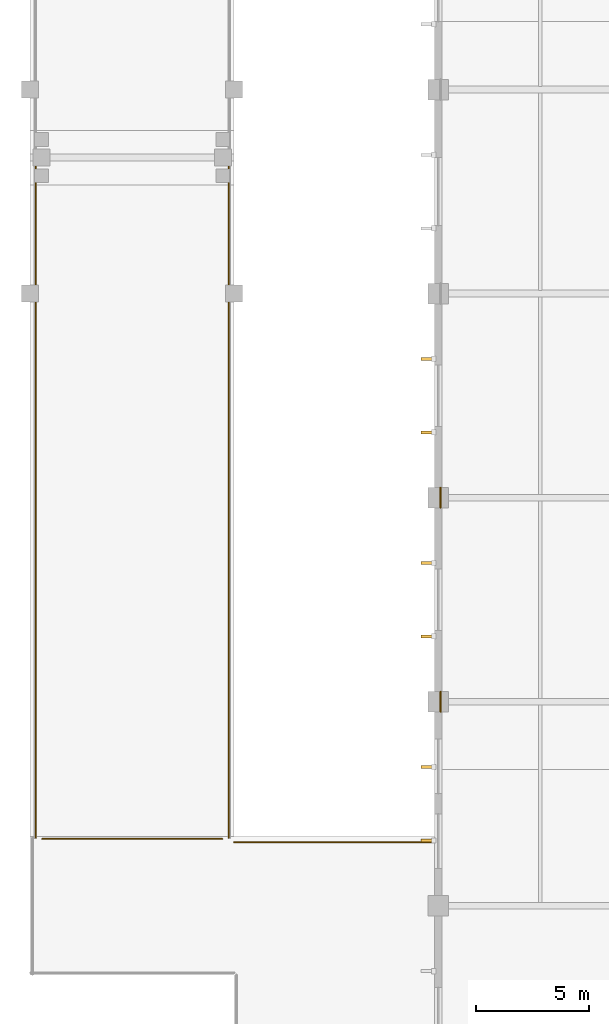
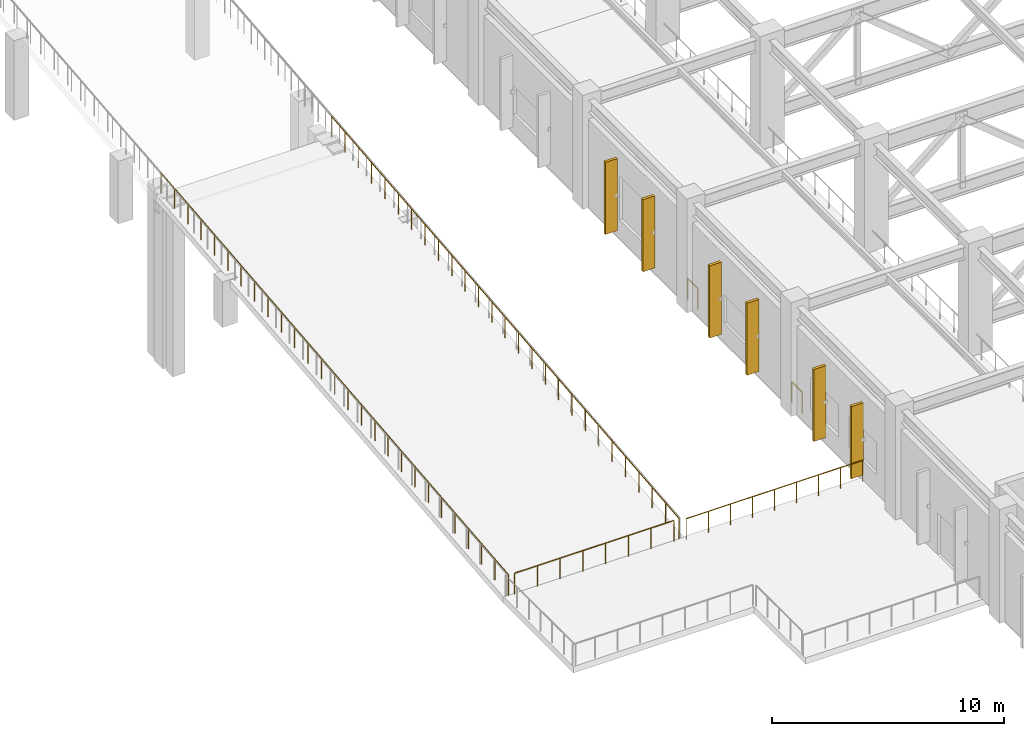
# One storey, part 204 of 223: 6 railings, 6 shading devices.
"""IFC4 building model written with IfcOpenShell, lengths in metres."""

from ifc_helpers import new_model, si_unit, direction, frame, origin, origin_2d, place, context, subcontext, project, spatial, rectangle, circle, extrude, material, layer, layer_set, type_object, element, save


model = new_model("IFC4")

# Units and contexts
model_context = context("Model", 3, precision=1e-05, world=origin(), true_north=direction((0.0, 1.0)))
body_context = subcontext(model_context, "Body", "Model", "MODEL_VIEW")
ifc_project = project(units=[si_unit("LENGTHUNIT", "METRE"), si_unit("AREAUNIT", "SQUARE_METRE"), si_unit("VOLUMEUNIT", "CUBIC_METRE"), si_unit("PLANEANGLEUNIT", "RADIAN"), si_unit("MASSUNIT", "GRAM", prefix="KILO")], contexts=[model_context])

# Site, building, storey
site_placement = place(None, origin())
site = spatial("IfcSite", under=ifc_project, at=site_placement, CompositionType="ELEMENT")
building_placement = place(site_placement, origin())
building = spatial("IfcBuilding", under=site, at=building_placement, Name="Dornveld Trade and Exhibition Forum", CompositionType="ELEMENT")
storey_placement = place(building_placement, frame((0.0, 0.0, 6.0)))
storey = spatial("IfcBuildingStorey", under=building, at=storey_placement, Name="L01", CompositionType="ELEMENT", Elevation=6.0)

# Railings
ifc_material_1 = material(Name="Dark-bronze steel and laminated glass balustrade", Category="steel")
railing_type_1 = type_object("IfcRailingType", Name="RL-BALUST-CONC", PredefinedType="BALUSTRADE", material=ifc_material_1)
railing_1_placement = place(storey_placement, frame((0.530029296875, 65.949951171875, 0.0)))
element("IfcRailing", 1, at=railing_1_placement, inside=storey, type_object=railing_type_1, Name="L01 deck edge balustrade 83", PredefinedType="BALUSTRADE", context=body_context, shape_type="SweptSolid", body=[
    extrude(circle(Radius=0.02490234375, at=origin_2d()), frame((0.0, 0.0, 1.09521484375), z_axis=(1.0, 0.0, 0.0), x_axis=(0.0, 1.0, 0.0)), (0.0, 0.0, 1.0), 7.93994140625),
    extrude(circle(Radius=0.02099609375, at=origin_2d()), origin(), (0.0, 0.0, 1.0), 1.070068359375),
    extrude(circle(Radius=0.02099609375, at=origin_2d()), frame((1.13427734375, 0.0, 0.0)), (0.0, 0.0, 1.0), 1.070068359375),
    extrude(circle(Radius=0.02099609375, at=origin_2d()), frame((2.2685546875, 0.0, 0.0)), (0.0, 0.0, 1.0), 1.070068359375),
    extrude(circle(Radius=0.02099609375, at=origin_2d()), frame((3.40283203125, 0.0, 0.0)), (0.0, 0.0, 1.0), 1.070068359375),
    extrude(circle(Radius=0.02099609375, at=origin_2d()), frame((4.537109375, 0.0, 0.0)), (0.0, 0.0, 1.0), 1.070068359375),
    extrude(circle(Radius=0.02099609375, at=origin_2d()), frame((5.67138671875, 0.0, 0.0)), (0.0, 0.0, 1.0), 1.070068359375),
    extrude(circle(Radius=0.02099609375, at=origin_2d()), frame((6.8056640625, 0.0, 0.0)), (0.0, 0.0, 1.0), 1.070068359375),
    extrude(circle(Radius=0.02099609375, at=origin_2d()), frame((7.93994140625, 0.0, 0.0)), (0.0, 0.0, 1.0), 1.070068359375),
])
for number, where, name in (
    (2, (18.10009765625, 71.550537109375, 0.0), "L01 deck edge balustrade 84"),
    (3, (18.10009765625, 80.550537109375, 0.0), "L01 deck edge balustrade 85"),
):
    element("IfcRailing", number, at=place(storey_placement, frame(where)), inside=storey, type_object=railing_type_1, Name=name, PredefinedType="BALUSTRADE", context=body_context, shape_type="SweptSolid", body=[
        extrude(circle(Radius=0.02490234375, at=origin_2d()), frame((0.0, 0.0, 1.09521484375), z_axis=(0.0, 1.0, 0.0), x_axis=(-1.0, 0.0, 0.0)), (0.0, 0.0, 1.0), 0.89892578125),
        extrude(circle(Radius=0.02099609375, at=origin_2d()), origin(), (0.0, 0.0, 1.0), 1.070068359375),
        extrude(circle(Radius=0.02099609375, at=origin_2d()), frame((0.0, 0.89892578125, 0.0)), (0.0, 0.0, 1.0), 1.070068359375),
    ])
ifc_material_2 = material(Name="Galvanised steel S355J2 balustrade", Category="steel")
railing_type_2 = type_object("IfcRailingType", Name="RL-GUARD-TERR", PredefinedType="GUARDRAIL", material=ifc_material_2)
railing_2_placement = place(storey_placement, frame((0.25, 66.0, 0.0)))
element("IfcRailing", 4, at=railing_2_placement, inside=storey, type_object=railing_type_2, Name="Viaduct ramp W edge guard 3", PredefinedType="GUARDRAIL", context=body_context, shape_type="SweptSolid", body=[
    extrude(circle(Radius=0.02392578125, at=origin_2d()), frame((0.0, 0.0, 1.076171875), z_axis=(0.0, 0.99503719021, 0.099503719021), x_axis=(-1.0, 0.0, 0.0)), (0.0, 0.0, 1.0), 30.149658203125),
    extrude(circle(Radius=0.02099609375, at=origin_2d()), origin(), (0.0, 0.0, 1.0), 1.052001953125),
    extrude(circle(Radius=0.02099609375, at=origin_2d()), frame((0.0, 1.15380859375, 0.115478515625)), (0.0, 0.0, 1.0), 1.052001953125),
    extrude(circle(Radius=0.02099609375, at=origin_2d()), frame((0.0, 2.3076171875, 0.230712890625)), (0.0, 0.0, 1.0), 1.052001953125),
    extrude(circle(Radius=0.02099609375, at=origin_2d()), frame((0.0, 3.46142578125, 0.34619140625)), (0.0, 0.0, 1.0), 1.052001953125),
    extrude(circle(Radius=0.02099609375, at=origin_2d()), frame((0.0, 4.615478515625, 0.46142578125)), (0.0, 0.0, 1.0), 1.052001953125),
    extrude(circle(Radius=0.02099609375, at=origin_2d()), frame((0.0, 5.769287109375, 0.576904296875)), (0.0, 0.0, 1.0), 1.052001953125),
    extrude(circle(Radius=0.02099609375, at=origin_2d()), frame((0.0, 6.923095703125, 0.6923828125)), (0.0, 0.0, 1.0), 1.052001953125),
    extrude(circle(Radius=0.02099609375, at=origin_2d()), frame((0.0, 8.076904296875, 0.8076171875)), (0.0, 0.0, 1.0), 1.052001953125),
    extrude(circle(Radius=0.02099609375, at=origin_2d()), frame((0.0, 9.230712890625, 0.923095703125)), (0.0, 0.0, 1.0), 1.052001953125),
    extrude(circle(Radius=0.02099609375, at=origin_2d()), frame((0.0, 10.384521484375, 1.03857421875)), (0.0, 0.0, 1.0), 1.052001953125),
    extrude(circle(Radius=0.02099609375, at=origin_2d()), frame((0.0, 11.53857421875, 1.15380859375)), (0.0, 0.0, 1.0), 1.052001953125),
    extrude(circle(Radius=0.02099609375, at=origin_2d()), frame((0.0, 12.6923828125, 1.269287109375)), (0.0, 0.0, 1.0), 1.052001953125),
    extrude(circle(Radius=0.02099609375, at=origin_2d()), frame((0.0, 13.84619140625, 1.384521484375)), (0.0, 0.0, 1.0), 1.052001953125),
    extrude(circle(Radius=0.02099609375, at=origin_2d()), frame((0.0, 15.0, 1.5)), (0.0, 0.0, 1.0), 1.052001953125),
    extrude(circle(Radius=0.02099609375, at=origin_2d()), frame((0.0, 16.15380859375, 1.615478515625)), (0.0, 0.0, 1.0), 1.052001953125),
    extrude(circle(Radius=0.02099609375, at=origin_2d()), frame((0.0, 17.3076171875, 1.730712890625)), (0.0, 0.0, 1.0), 1.052001953125),
    extrude(circle(Radius=0.02099609375, at=origin_2d()), frame((0.0, 18.46142578125, 1.84619140625)), (0.0, 0.0, 1.0), 1.052001953125),
    extrude(circle(Radius=0.02099609375, at=origin_2d()), frame((0.0, 19.615478515625, 1.96142578125)), (0.0, 0.0, 1.0), 1.052001953125),
    extrude(circle(Radius=0.02099609375, at=origin_2d()), frame((0.0, 20.769287109375, 2.076904296875)), (0.0, 0.0, 1.0), 1.052001953125),
    extrude(circle(Radius=0.02099609375, at=origin_2d()), frame((0.0, 21.923095703125, 2.1923828125)), (0.0, 0.0, 1.0), 1.052001953125),
    extrude(circle(Radius=0.02099609375, at=origin_2d()), frame((0.0, 23.076904296875, 2.3076171875)), (0.0, 0.0, 1.0), 1.052001953125),
    extrude(circle(Radius=0.02099609375, at=origin_2d()), frame((0.0, 24.230712890625, 2.423095703125)), (0.0, 0.0, 1.0), 1.052001953125),
    extrude(circle(Radius=0.02099609375, at=origin_2d()), frame((0.0, 25.384521484375, 2.53857421875)), (0.0, 0.0, 1.0), 1.052001953125),
    extrude(circle(Radius=0.02099609375, at=origin_2d()), frame((0.0, 26.53857421875, 2.65380859375)), (0.0, 0.0, 1.0), 1.052001953125),
    extrude(circle(Radius=0.02099609375, at=origin_2d()), frame((0.0, 27.6923828125, 2.769287109375)), (0.0, 0.0, 1.0), 1.052001953125),
    extrude(circle(Radius=0.02099609375, at=origin_2d()), frame((0.0, 28.84619140625, 2.884521484375)), (0.0, 0.0, 1.0), 1.052001953125),
    extrude(circle(Radius=0.02099609375, at=origin_2d()), frame((0.0, 30.0, 3.0)), (0.0, 0.0, 1.0), 1.052001953125),
])
railing_3_placement = place(storey_placement, frame((8.75, 66.0, 0.0)))
element("IfcRailing", 5, at=railing_3_placement, inside=storey, type_object=railing_type_2, Name="Viaduct ramp E edge guard 3", PredefinedType="GUARDRAIL", context=body_context, shape_type="SweptSolid", body=[
    extrude(circle(Radius=0.02392578125, at=origin_2d()), frame((0.0, 0.0, 1.076171875), z_axis=(0.0, 0.99503719021, 0.099503719021), x_axis=(-1.0, 0.0, 0.0)), (0.0, 0.0, 1.0), 30.149658203125),
    extrude(circle(Radius=0.02099609375, at=origin_2d()), origin(), (0.0, 0.0, 1.0), 1.052001953125),
    extrude(circle(Radius=0.02099609375, at=origin_2d()), frame((0.0, 1.15380859375, 0.115478515625)), (0.0, 0.0, 1.0), 1.052001953125),
    extrude(circle(Radius=0.02099609375, at=origin_2d()), frame((0.0, 2.3076171875, 0.230712890625)), (0.0, 0.0, 1.0), 1.052001953125),
    extrude(circle(Radius=0.02099609375, at=origin_2d()), frame((0.0, 3.46142578125, 0.34619140625)), (0.0, 0.0, 1.0), 1.052001953125),
    extrude(circle(Radius=0.02099609375, at=origin_2d()), frame((0.0, 4.615478515625, 0.46142578125)), (0.0, 0.0, 1.0), 1.052001953125),
    extrude(circle(Radius=0.02099609375, at=origin_2d()), frame((0.0, 5.769287109375, 0.576904296875)), (0.0, 0.0, 1.0), 1.052001953125),
    extrude(circle(Radius=0.02099609375, at=origin_2d()), frame((0.0, 6.923095703125, 0.6923828125)), (0.0, 0.0, 1.0), 1.052001953125),
    extrude(circle(Radius=0.02099609375, at=origin_2d()), frame((0.0, 8.076904296875, 0.8076171875)), (0.0, 0.0, 1.0), 1.052001953125),
    extrude(circle(Radius=0.02099609375, at=origin_2d()), frame((0.0, 9.230712890625, 0.923095703125)), (0.0, 0.0, 1.0), 1.052001953125),
    extrude(circle(Radius=0.02099609375, at=origin_2d()), frame((0.0, 10.384521484375, 1.03857421875)), (0.0, 0.0, 1.0), 1.052001953125),
    extrude(circle(Radius=0.02099609375, at=origin_2d()), frame((0.0, 11.53857421875, 1.15380859375)), (0.0, 0.0, 1.0), 1.052001953125),
    extrude(circle(Radius=0.02099609375, at=origin_2d()), frame((0.0, 12.6923828125, 1.269287109375)), (0.0, 0.0, 1.0), 1.052001953125),
    extrude(circle(Radius=0.02099609375, at=origin_2d()), frame((0.0, 13.84619140625, 1.384521484375)), (0.0, 0.0, 1.0), 1.052001953125),
    extrude(circle(Radius=0.02099609375, at=origin_2d()), frame((0.0, 15.0, 1.5)), (0.0, 0.0, 1.0), 1.052001953125),
    extrude(circle(Radius=0.02099609375, at=origin_2d()), frame((0.0, 16.15380859375, 1.615478515625)), (0.0, 0.0, 1.0), 1.052001953125),
    extrude(circle(Radius=0.02099609375, at=origin_2d()), frame((0.0, 17.3076171875, 1.730712890625)), (0.0, 0.0, 1.0), 1.052001953125),
    extrude(circle(Radius=0.02099609375, at=origin_2d()), frame((0.0, 18.46142578125, 1.84619140625)), (0.0, 0.0, 1.0), 1.052001953125),
    extrude(circle(Radius=0.02099609375, at=origin_2d()), frame((0.0, 19.615478515625, 1.96142578125)), (0.0, 0.0, 1.0), 1.052001953125),
    extrude(circle(Radius=0.02099609375, at=origin_2d()), frame((0.0, 20.769287109375, 2.076904296875)), (0.0, 0.0, 1.0), 1.052001953125),
    extrude(circle(Radius=0.02099609375, at=origin_2d()), frame((0.0, 21.923095703125, 2.1923828125)), (0.0, 0.0, 1.0), 1.052001953125),
    extrude(circle(Radius=0.02099609375, at=origin_2d()), frame((0.0, 23.076904296875, 2.3076171875)), (0.0, 0.0, 1.0), 1.052001953125),
    extrude(circle(Radius=0.02099609375, at=origin_2d()), frame((0.0, 24.230712890625, 2.423095703125)), (0.0, 0.0, 1.0), 1.052001953125),
    extrude(circle(Radius=0.02099609375, at=origin_2d()), frame((0.0, 25.384521484375, 2.53857421875)), (0.0, 0.0, 1.0), 1.052001953125),
    extrude(circle(Radius=0.02099609375, at=origin_2d()), frame((0.0, 26.53857421875, 2.65380859375)), (0.0, 0.0, 1.0), 1.052001953125),
    extrude(circle(Radius=0.02099609375, at=origin_2d()), frame((0.0, 27.6923828125, 2.769287109375)), (0.0, 0.0, 1.0), 1.052001953125),
    extrude(circle(Radius=0.02099609375, at=origin_2d()), frame((0.0, 28.84619140625, 2.884521484375)), (0.0, 0.0, 1.0), 1.052001953125),
    extrude(circle(Radius=0.02099609375, at=origin_2d()), frame((0.0, 30.0, 3.0)), (0.0, 0.0, 1.0), 1.052001953125),
])
railing_4_placement = place(storey_placement, frame((9.0, 65.800048828125, 0.0)))
element("IfcRailing", 6, at=railing_4_placement, inside=storey, type_object=railing_type_2, Name="L01 protective edge guard 25", PredefinedType="GUARDRAIL", context=body_context, shape_type="SweptSolid", body=[
    extrude(circle(Radius=0.02490234375, at=origin_2d()), frame((0.0, 0.0, 1.09521484375), z_axis=(1.0, 0.0, 0.0), x_axis=(0.0, 1.0, 0.0)), (0.0, 0.0, 1.0), 8.800048828125),
    extrude(circle(Radius=0.02099609375, at=origin_2d()), origin(), (0.0, 0.0, 1.0), 1.070068359375),
    extrude(circle(Radius=0.02099609375, at=origin_2d()), frame((1.10009765625, 0.0, 0.0)), (0.0, 0.0, 1.0), 1.070068359375),
    extrude(circle(Radius=0.02099609375, at=origin_2d()), frame((2.199951171875, 0.0, 0.0)), (0.0, 0.0, 1.0), 1.070068359375),
    extrude(circle(Radius=0.02099609375, at=origin_2d()), frame((3.300048828125, 0.0, 0.0)), (0.0, 0.0, 1.0), 1.070068359375),
    extrude(circle(Radius=0.02099609375, at=origin_2d()), frame((4.39990234375, 0.0, 0.0)), (0.0, 0.0, 1.0), 1.070068359375),
    extrude(circle(Radius=0.02099609375, at=origin_2d()), frame((5.5, 0.0, 0.0)), (0.0, 0.0, 1.0), 1.070068359375),
    extrude(circle(Radius=0.02099609375, at=origin_2d()), frame((6.60009765625, 0.0, 0.0)), (0.0, 0.0, 1.0), 1.070068359375),
    extrude(circle(Radius=0.02099609375, at=origin_2d()), frame((7.699951171875, 0.0, 0.0)), (0.0, 0.0, 1.0), 1.070068359375),
    extrude(circle(Radius=0.02099609375, at=origin_2d()), frame((8.800048828125, 0.0, 0.0)), (0.0, 0.0, 1.0), 1.070068359375),
])

# Shading devices
ifc_material_3 = material(Name="Precast concrete C50/60", Category="concrete")
ifc_layer = layer(ifc_material_3, 0.139892578125)
ifc_layer_set = layer_set([ifc_layer], Name="Precast concrete C50/60")
shading_device_type = type_object("IfcShadingDeviceType", Name="SHD-FIN-600", PredefinedType="JALOUSIE", material=ifc_layer_set)
for number, where, z_axis, x_axis, name in (
    (7, (17.5400390625, 69.1201171875, 0.2998046875), (0.0, 0.0, 1.0), (0.0, -1.0, 0.0), "L01 vertical solar brise-soleil fin 45"),
    (8, (17.5400390625, 65.8798828125, 0.2998046875), (0.0, 0.0, 1.0), (0.0, -1.0, 0.0), "L01 vertical solar brise-soleil fin 46"),
    (9, (17.5400390625, 78.1201171875, 0.2998046875), (0.0, 0.0, 1.0), (0.0, -1.0, 0.0), "L01 vertical solar brise-soleil fin 53"),
    (10, (17.5400390625, 74.8798828125, 0.2998046875), (0.0, 0.0, 1.0), (0.0, -1.0, 0.0), "L01 vertical solar brise-soleil fin 54"),
    (11, (17.5400390625, 87.1201171875, 0.2998046875), (0.0, 0.0, 1.0), (0.0, -1.0, 0.0), "L01 vertical solar brise-soleil fin 61"),
    (12, (17.5400390625, 83.8798828125, 0.2998046875), (0.0, 0.0, 1.0), (0.0, -1.0, 0.0), "L01 vertical solar brise-soleil fin 62"),
):
    element("IfcShadingDevice", number, at=place(storey_placement, frame(where, z_axis=z_axis, x_axis=x_axis)), inside=storey, type_object=shading_device_type, Name=name, PredefinedType="JALOUSIE", context=body_context, shape_type="SweptSolid", body=[
        extrude(rectangle(XDim=0.139892578125, YDim=0.60009765625, at=origin_2d()), origin(), (0.0, 0.0, 1.0), 3.800048828125),
    ])

save(model, "model.ifc")
